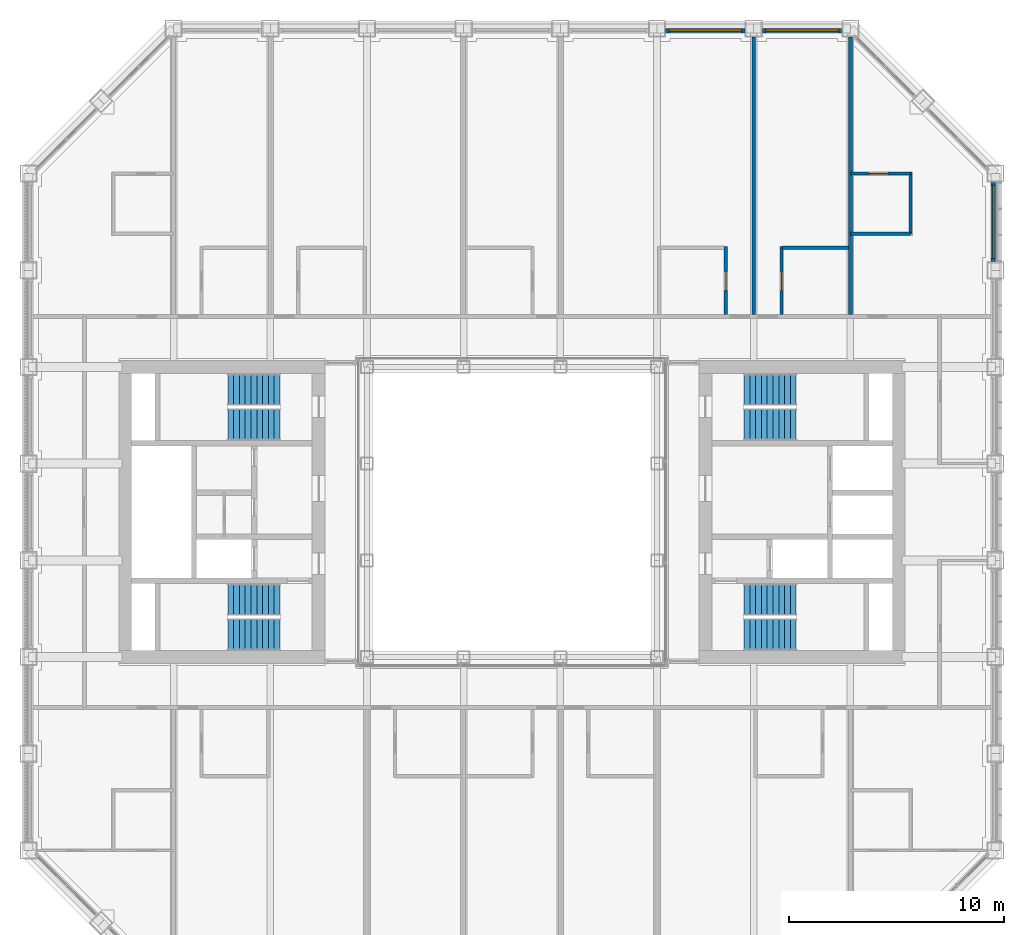
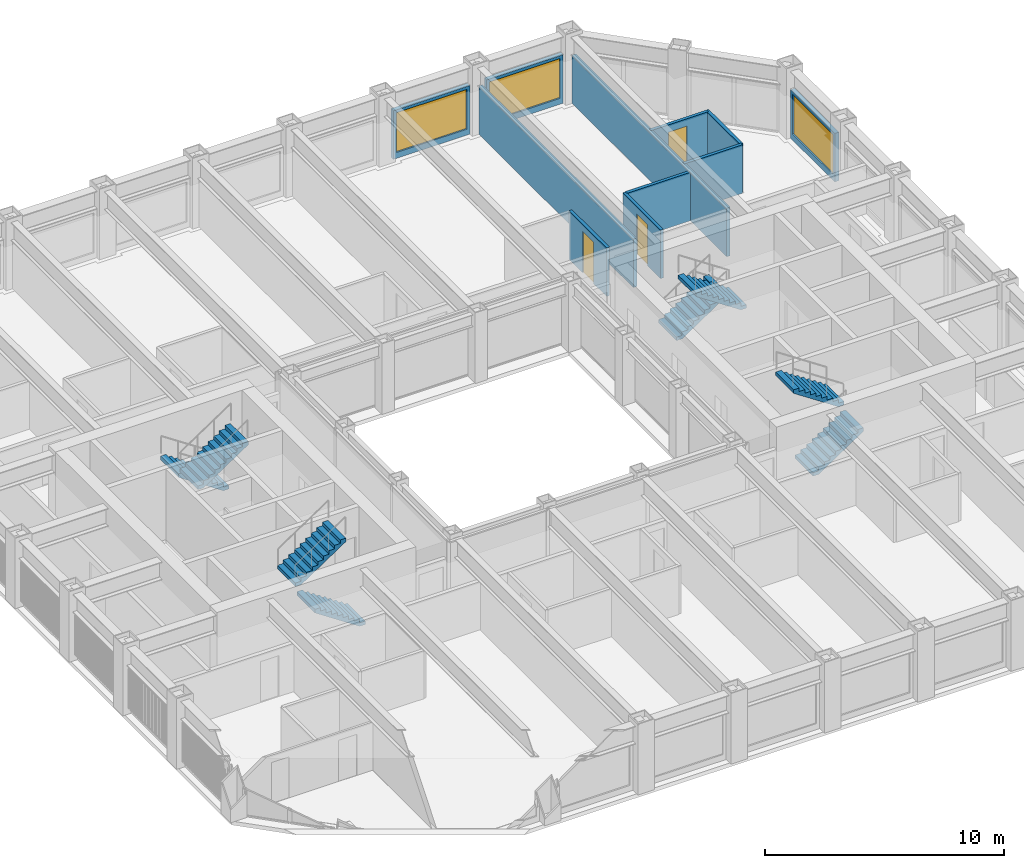
# One storey, part 14 of 17: 11 walls, 8 stair flights, 3 doors, 3 windows, 6 openings, 4 elements without a shape of their own.
"""IFC4 building model written with IfcOpenShell, lengths in metres."""

from ifc_helpers import new_model, si_unit, direction, frame, frame_2d, origin, place, context, subcontext, project, spatial, polyline, rectangle, outline, extrude, material, layer, layer_set, type_object, element, fill, aggregate, save


model = new_model("IFC4")

# Units and contexts
model_context = context("Model", 3, precision=1e-05, world=origin(), true_north=direction((0.0, 1.0)))
body_context = subcontext(model_context, "Body", "Model", "MODEL_VIEW")
ifc_project = project(units=[si_unit("LENGTHUNIT", "METRE"), si_unit("AREAUNIT", "SQUARE_METRE"), si_unit("VOLUMEUNIT", "CUBIC_METRE"), si_unit("PLANEANGLEUNIT", "RADIAN"), si_unit("MASSUNIT", "GRAM", prefix="KILO")], contexts=[model_context])

# Site, building, storey
site_placement = place(None, origin())
site = spatial("IfcSite", under=ifc_project, at=site_placement, CompositionType="ELEMENT")
building_placement = place(site_placement, origin())
building = spatial("IfcBuilding", under=site, at=building_placement, Name="Msasa Ring Tower", CompositionType="ELEMENT")
storey_placement = place(building_placement, frame((0.0, 0.0, 150.800048828125)))
storey = spatial("IfcBuildingStorey", under=building, at=storey_placement, Name="L39", CompositionType="ELEMENT", Elevation=150.800048828125)

# Wall, opening, window
ifc_material_1 = material(Name="Terracotta rainscreen on blockwork", Category="masonry")
ifc_layer_1 = layer(ifc_material_1, 0.199951171875)
ifc_layer_set_1 = layer_set([ifc_layer_1], Name="FW1 TERRACOTTA-LINED INFILL BAY WALL 200")
wall_type_1 = type_object("IfcWallType", Name="FW1 TERRACOTTA-LINED INFILL BAY WALL 200", PredefinedType="SOLIDWALL", material=ifc_layer_set_1)
wall_1_placement = place(storey_placement, frame((22.39990234375, 11.655029296875, 0.0), z_axis=(0.0, 0.0, 1.0), x_axis=(0.0, 1.0, 0.0)))
wall_1 = element("IfcWall", 1, at=wall_1_placement, inside=storey, type_object=wall_type_1, Name="Infill bay wall E L39 15", PredefinedType="SOLIDWALL", context=body_context, shape_type="SweptSolid", body=[
    extrude(rectangle(XDim=3.68994140625, YDim=0.199951171875, at=frame_2d((1.844970703125, 0.0))), origin(), (0.0, 0.0, 1.0), 2.47900390625),
])
opening_1_placement = place(wall_1_placement, frame((0.14501953125, 0.0, 0.300048828125)))
opening_1 = element("IfcOpeningElement", 2, at=opening_1_placement, cuts=wall_1, Name="Opening WN2", PredefinedType="OPENING", context=body_context, shape_type="SweptSolid", body=[
    extrude(rectangle(XDim=3.39990234375, YDim=2.029052734375, at=frame_2d((1.699951171875, 1.0146484375))), frame((0.0, 0.10986328125, 0.0), z_axis=(0.0, -1.0, 0.0), x_axis=(1.0, 0.0, 0.0)), (0.0, 0.0, 1.0), 0.219970703125),
])
ifc_material_2 = material(Name="Aluminium frame with clear glass", Category="aluminium")
window_type = type_object("IfcWindowType", Name="WN2 GUEST ROOM WINDOW 3400x2029", PartitioningType="SINGLE_PANEL", PredefinedType="WINDOW", material=ifc_material_2)
window_1_placement = place(opening_1_placement, origin())
window_1 = element("IfcWindow", 3, at=window_1_placement, inside=storey, type_object=window_type, Name="Window E L39 15", OverallHeight=2.029052734375, OverallWidth=3.39990234375, PartitioningType="SINGLE_PANEL", PredefinedType="WINDOW", context=body_context, shape_type="SweptSolid", body=[
    extrude(rectangle(XDim=3.39990234375, YDim=2.029052734375, at=frame_2d((1.699951171875, 1.0146484375))), frame((0.0, 0.030029296875, 0.0), z_axis=(0.0, -1.0, 0.0), x_axis=(1.0, 0.0, 0.0)), (0.0, 0.0, 1.0), 0.06005859375),
])
fill(opening_1, window_1)

wall_2_placement = place(storey_placement, frame((7.155029296875, 22.39990234375, 0.0), z_axis=(0.0, 0.0, 1.0), x_axis=(1.0, 0.0, 0.0)))
wall_2 = element("IfcWall", 4, at=wall_2_placement, inside=storey, type_object=wall_type_1, Name="Infill bay wall N L39 23", PredefinedType="SOLIDWALL", context=body_context, shape_type="SweptSolid", body=[
    extrude(rectangle(XDim=3.68994140625, YDim=0.199951171875, at=frame_2d((1.844970703125, 0.0))), origin(), (0.0, 0.0, 1.0), 2.47900390625),
])
opening_2_placement = place(wall_2_placement, frame((0.14501953125, 0.0, 0.300048828125)))
opening_2 = element("IfcOpeningElement", 5, at=opening_2_placement, cuts=wall_2, Name="Opening WN2", PredefinedType="OPENING", context=body_context, shape_type="SweptSolid", body=[
    extrude(rectangle(XDim=3.39990234375, YDim=2.029052734375, at=frame_2d((1.699951171875, 1.0146484375))), frame((0.0, 0.10986328125, 0.0), z_axis=(0.0, -1.0, 0.0), x_axis=(1.0, 0.0, 0.0)), (0.0, 0.0, 1.0), 0.219970703125),
])
window_2_placement = place(opening_2_placement, origin())
window_2 = element("IfcWindow", 6, at=window_2_placement, inside=storey, type_object=window_type, Name="Window N L39 23", OverallHeight=2.029052734375, OverallWidth=3.39990234375, PartitioningType="SINGLE_PANEL", PredefinedType="WINDOW", context=body_context, shape_type="SweptSolid", body=[
    extrude(rectangle(XDim=3.39990234375, YDim=2.029052734375, at=frame_2d((1.699951171875, 1.0146484375))), frame((0.0, 0.030029296875, 0.0), z_axis=(0.0, -1.0, 0.0), x_axis=(1.0, 0.0, 0.0)), (0.0, 0.0, 1.0), 0.06005859375),
])
fill(opening_2, window_2)

wall_3_placement = place(storey_placement, frame((11.655029296875, 22.39990234375, 0.0), z_axis=(0.0, 0.0, 1.0), x_axis=(1.0, 0.0, 0.0)))
wall_3 = element("IfcWall", 7, at=wall_3_placement, inside=storey, type_object=wall_type_1, Name="Infill bay wall N L39 24", PredefinedType="SOLIDWALL", context=body_context, shape_type="SweptSolid", body=[
    extrude(rectangle(XDim=3.68994140625, YDim=0.199951171875, at=frame_2d((1.844970703125, 0.0))), origin(), (0.0, 0.0, 1.0), 2.47900390625),
])
opening_3_placement = place(wall_3_placement, frame((0.14501953125, 0.0, 0.300048828125)))
opening_3 = element("IfcOpeningElement", 8, at=opening_3_placement, cuts=wall_3, Name="Opening WN2", PredefinedType="OPENING", context=body_context, shape_type="SweptSolid", body=[
    extrude(rectangle(XDim=3.39990234375, YDim=2.029052734375, at=frame_2d((1.699951171875, 1.0146484375))), frame((0.0, 0.10986328125, 0.0), z_axis=(0.0, -1.0, 0.0), x_axis=(1.0, 0.0, 0.0)), (0.0, 0.0, 1.0), 0.219970703125),
])
window_3_placement = place(opening_3_placement, origin())
window_3 = element("IfcWindow", 9, at=window_3_placement, inside=storey, type_object=window_type, Name="Window N L39 24", OverallHeight=2.029052734375, OverallWidth=3.39990234375, PartitioningType="SINGLE_PANEL", PredefinedType="WINDOW", context=body_context, shape_type="SweptSolid", body=[
    extrude(rectangle(XDim=3.39990234375, YDim=2.029052734375, at=frame_2d((1.699951171875, 1.0146484375))), frame((0.0, 0.030029296875, 0.0), z_axis=(0.0, -1.0, 0.0), x_axis=(1.0, 0.0, 0.0)), (0.0, 0.0, 1.0), 0.06005859375),
])
fill(opening_3, window_3)

# Wall, opening, door
ifc_material_3 = material(Name="Moisture-resistant board on steel studs with a concealed cistern and pipe void, tiled", Category="steel")
ifc_layer_2 = layer(ifc_material_3, 0.14990234375)
ifc_layer_set_2 = layer_set([ifc_layer_2], Name="PT4 BATHROOM WET WALL 150")
wall_type_2 = type_object("IfcWallType", Name="PT4 BATHROOM WET WALL 150", PredefinedType="PARTITIONING", material=ifc_layer_set_2)
wall_4_placement = place(storey_placement, frame((9.949951171875, 9.199951171875, 0.0), z_axis=(0.0, 0.0, 1.0), x_axis=(0.0, 1.0, 0.0)))
wall_4 = element("IfcWall", 10, at=wall_4_placement, inside=storey, type_object=wall_type_2, Name="Partition L39-GN03BX", PredefinedType="PARTITIONING", context=body_context, shape_type="SweptSolid", body=[
    extrude(rectangle(XDim=3.150146484375, YDim=0.14990234375, at=frame_2d((1.5751953125, 0.0))), origin(), (0.0, 0.0, 1.0), 2.473388671875),
])
opening_4_placement = place(wall_4_placement, frame((1.10009765625, 0.0, 0.0)))
opening_4 = element("IfcOpeningElement", 11, at=opening_4_placement, cuts=wall_4, Name="Opening HD-006", PredefinedType="OPENING", context=body_context, shape_type="SweptSolid", body=[
    extrude(rectangle(XDim=0.89990234375, YDim=2.10009765625, at=frame_2d((0.449951171875, 1.050048828125))), frame((0.0, 0.0849609375, 0.0), z_axis=(0.0, -1.0, 0.0), x_axis=(1.0, 0.0, 0.0)), (0.0, 0.0, 1.0), 0.169921875),
])
ifc_material_4 = material(Name="Timber door leaf in a steel frame", Category="steel")
door_type = type_object("IfcDoorType", Name="D3 BATHROOM DOOR 900x2100", OperationType="SINGLE_SWING_LEFT", PredefinedType="DOOR", material=ifc_material_4)
door_1_placement = place(opening_4_placement, origin())
door_1 = element("IfcDoor", 12, at=door_1_placement, inside=storey, type_object=door_type, Name="Door L39-GN03B", OperationType="SINGLE_SWING_LEFT", OverallHeight=2.10009765625, OverallWidth=0.89990234375, PredefinedType="DOOR", context=body_context, shape_type="SweptSolid", body=[
    extrude(rectangle(XDim=0.89990234375, YDim=2.10009765625, at=frame_2d((0.449951171875, 1.050048828125))), frame((0.0, 0.02490234375, 0.0), z_axis=(0.0, -1.0, 0.0), x_axis=(1.0, 0.0, 0.0)), (0.0, 0.0, 1.0), 0.050048828125),
])
fill(opening_4, door_1)

wall_5_placement = place(storey_placement, frame((12.550048828125, 9.199951171875, 0.0), z_axis=(0.0, 0.0, 1.0), x_axis=(0.0, 1.0, 0.0)))
wall_5 = element("IfcWall", 13, at=wall_5_placement, inside=storey, type_object=wall_type_2, Name="Partition L39-GN04BX", PredefinedType="PARTITIONING", context=body_context, shape_type="SweptSolid", body=[
    extrude(rectangle(XDim=3.150146484375, YDim=0.14990234375, at=frame_2d((1.5751953125, 0.0))), origin(), (0.0, 0.0, 1.0), 2.473388671875),
])
opening_5_placement = place(wall_5_placement, frame((1.10009765625, 0.0, 0.0)))
opening_5 = element("IfcOpeningElement", 14, at=opening_5_placement, cuts=wall_5, Name="Opening HD-007", PredefinedType="OPENING", context=body_context, shape_type="SweptSolid", body=[
    extrude(rectangle(XDim=0.89990234375, YDim=2.10009765625, at=frame_2d((0.449951171875, 1.050048828125))), frame((0.0, 0.0849609375, 0.0), z_axis=(0.0, -1.0, 0.0), x_axis=(1.0, 0.0, 0.0)), (0.0, 0.0, 1.0), 0.169921875),
])
door_2_placement = place(opening_5_placement, origin())
door_2 = element("IfcDoor", 15, at=door_2_placement, inside=storey, type_object=door_type, Name="Door L39-GN04B", OperationType="SINGLE_SWING_LEFT", OverallHeight=2.10009765625, OverallWidth=0.89990234375, PredefinedType="DOOR", context=body_context, shape_type="SweptSolid", body=[
    extrude(rectangle(XDim=0.89990234375, YDim=2.10009765625, at=frame_2d((0.449951171875, 1.050048828125))), frame((0.0, 0.02490234375, 0.0), z_axis=(0.0, -1.0, 0.0), x_axis=(1.0, 0.0, 0.0)), (0.0, 0.0, 1.0), 0.050048828125),
])
fill(opening_5, door_2)

# Walls
wall_6_placement = place(storey_placement, frame((12.60009765625, 12.300048828125, 0.0), z_axis=(0.0, 0.0, 1.0), x_axis=(1.0, 0.0, 0.0)))
element("IfcWall", 16, at=wall_6_placement, inside=storey, type_object=wall_type_2, Name="Partition L39-GN04BY", PredefinedType="PARTITIONING", context=body_context, shape_type="SweptSolid", body=[
    extrude(rectangle(XDim=3.0625, YDim=0.14990234375, at=frame_2d((1.53125, 0.0))), origin(), (0.0, 0.0, 1.0), 2.473388671875),
])
wall_7_placement = place(storey_placement, frame((18.550048828125, 12.949951171875, 0.0), z_axis=(0.0, 0.0, 1.0), x_axis=(0.0, 1.0, 0.0)))
element("IfcWall", 17, at=wall_7_placement, inside=storey, type_object=wall_type_2, Name="Partition L39-CSNEBX", PredefinedType="PARTITIONING", context=body_context, shape_type="SweptSolid", body=[
    extrude(rectangle(XDim=2.875, YDim=0.14990234375, at=frame_2d((1.4375, 0.0))), origin(), (0.0, 0.0, 1.0), 2.473388671875),
])
wall_8_placement = place(storey_placement, frame((15.75, 12.949951171875, 0.0), z_axis=(0.0, 0.0, 1.0), x_axis=(1.0, 0.0, 0.0)))
element("IfcWall", 18, at=wall_8_placement, inside=storey, type_object=wall_type_2, Name="Partition L39-CSNEBY", PredefinedType="PARTITIONING", context=body_context, shape_type="SweptSolid", body=[
    extrude(rectangle(XDim=2.800048828125, YDim=0.14990234375, at=frame_2d((1.39990234375, 0.0))), origin(), (0.0, 0.0, 1.0), 2.473388671875),
])

# Wall, opening, door
wall_9_placement = place(storey_placement, frame((15.75, 15.75, 0.0), z_axis=(0.0, 0.0, 1.0), x_axis=(1.0, 0.0, 0.0)))
wall_9 = element("IfcWall", 19, at=wall_9_placement, inside=storey, type_object=wall_type_2, Name="Partition L39-CSNEBZ", PredefinedType="PARTITIONING", context=body_context, shape_type="SweptSolid", body=[
    extrude(rectangle(XDim=2.800048828125, YDim=0.14990234375, at=frame_2d((1.39990234375, 0.0))), origin(), (0.0, 0.0, 1.0), 2.473388671875),
])
opening_6_placement = place(wall_9_placement, frame((0.85009765625, 0.0, 0.0)))
opening_6 = element("IfcOpeningElement", 20, at=opening_6_placement, cuts=wall_9, Name="Opening HD-002", PredefinedType="OPENING", context=body_context, shape_type="SweptSolid", body=[
    extrude(rectangle(XDim=0.89990234375, YDim=2.10009765625, at=frame_2d((0.449951171875, 1.050048828125))), frame((0.0, 0.0849609375, 0.0), z_axis=(0.0, -1.0, 0.0), x_axis=(1.0, 0.0, 0.0)), (0.0, 0.0, 1.0), 0.169921875),
])
door_3_placement = place(opening_6_placement, origin())
door_3 = element("IfcDoor", 21, at=door_3_placement, inside=storey, type_object=door_type, Name="Door L39-CSNEB1", OperationType="SINGLE_SWING_LEFT", OverallHeight=2.10009765625, OverallWidth=0.89990234375, PredefinedType="DOOR", context=body_context, shape_type="SweptSolid", body=[
    extrude(rectangle(XDim=0.89990234375, YDim=2.10009765625, at=frame_2d((0.449951171875, 1.050048828125))), frame((0.0, 0.02490234375, 0.0), z_axis=(0.0, -1.0, 0.0), x_axis=(1.0, 0.0, 0.0)), (0.0, 0.0, 1.0), 0.050048828125),
])
fill(opening_6, door_3)

# Walls
ifc_material_5 = material(Name="Twin steel studs, two layers of acoustic board each face, mineral wool", Category="steel")
ifc_layer_3 = layer(ifc_material_5, 0.175048828125)
ifc_layer_set_3 = layer_set([ifc_layer_3], Name="PT5 GUEST ROOM SEPARATING WALL 175")
wall_type_3 = type_object("IfcWallType", Name="PT5 GUEST ROOM SEPARATING WALL 175", PredefinedType="PARTITIONING", material=ifc_layer_set_3)
for number, where, z_axis, x_axis, name in (
    (22, (11.25, 9.199951171875, 0.0), (0.0, 0.0, 1.0), (0.0, 1.0, 0.0), "Partition L39-PWN+11.25"),
    (23, (15.75, 9.199951171875, 0.0), (0.0, 0.0, 1.0), (0.0, 1.0, 0.0), "Partition L39-PWN+15.75"),
):
    element("IfcWall", number, at=place(storey_placement, frame(where, z_axis=z_axis, x_axis=x_axis)), inside=storey, type_object=wall_type_3, Name=name, PredefinedType="PARTITIONING", context=body_context, shape_type="SweptSolid", body=[
        extrude(rectangle(XDim=12.900146484375, YDim=0.175048828125, at=frame_2d((6.4501953125, 0.0))), origin(), (0.0, 0.0, 1.0), 2.473388671875),
    ])

# Stair, stair flights
ifc_material_6 = material(Name="Concrete C40/50", Category="concrete")
stair_type = type_object("IfcStairType", Name="STC CORE STAIR 20 RISERS 180", PredefinedType="HALF_TURN_STAIR", material=ifc_material_6)
stair_1_placement = place(storey_placement, origin())
stair_1 = element("IfcStair", 24, at=stair_1_placement, inside=storey, type_object=stair_type, Name="Core stair SEA L39", PredefinedType="HALF_TURN_STAIR")
ifc_material_7 = material(Name="Concrete C40/50", Category="concrete")
stair_flight_type = type_object("IfcStairFlightType", Name="ST14 CORE STAIR FLIGHT 1500 10 RISERS 180", PredefinedType="STRAIGHT", material=ifc_material_7)
stair_flight_1_placement = place(storey_placement, frame((10.800048828125, -5.699951171875, 0.0), z_axis=(0.0, 0.0, 1.0), x_axis=(1.0, 0.0, 0.0)))
stair_flight_1 = element("IfcStairFlight", 25, at=stair_flight_1_placement, type_object=stair_flight_type, Name="SEA flight 1", NumberOfRisers=10, NumberOfTreads=9, PredefinedType="STRAIGHT", RiserHeight=0.18, TreadLength=0.27, context=body_context, shape_type="SweptSolid", body=[
    extrude(outline(polyline([(0.0, 0.0), (0.0, 0.179931640625), (0.27001953125, 0.179931640625), (0.27001953125, 0.360107421875), (0.5400390625, 0.360107421875), (0.5400390625, 0.5400390625), (0.81005859375, 0.5400390625), (0.81005859375, 0.719970703125), (1.080078125, 0.719970703125), (1.080078125, 0.89990234375), (1.35009765625, 0.89990234375), (1.35009765625, 1.080078125), (1.6201171875, 1.080078125), (1.6201171875, 1.260009765625), (1.889892578125, 1.260009765625), (1.889892578125, 1.43994140625), (2.159912109375, 1.43994140625), (2.159912109375, 1.6201171875), (2.429931640625, 1.6201171875), (2.429931640625, 1.800048828125), (2.429931640625, 1.43994140625), (0.270263671875, 0.0), (0.0, 0.0)])), frame((0.0, 0.75, 0.0), z_axis=(0.0, -1.0, 0.0), x_axis=(1.0, 0.0, 0.0)), (0.0, 0.0, 1.0), 1.5),
])
stair_flight_2_placement = place(storey_placement, frame((13.22998046875, -4.074951171875, 1.800048828125), z_axis=(0.0, 0.0, 1.0), x_axis=(-1.0, 0.0, 0.0)))
stair_flight_2 = element("IfcStairFlight", 26, at=stair_flight_2_placement, type_object=stair_flight_type, Name="SEA flight 2", NumberOfRisers=10, NumberOfTreads=9, PredefinedType="STRAIGHT", RiserHeight=0.18, TreadLength=0.27, context=body_context, shape_type="SweptSolid", body=[
    extrude(outline(polyline([(0.0, 0.0), (0.0, 0.179931640625), (0.27001953125, 0.179931640625), (0.27001953125, 0.360107421875), (0.5400390625, 0.360107421875), (0.5400390625, 0.5400390625), (0.81005859375, 0.5400390625), (0.81005859375, 0.719970703125), (1.080078125, 0.719970703125), (1.080078125, 0.89990234375), (1.35009765625, 0.89990234375), (1.35009765625, 1.080078125), (1.6201171875, 1.080078125), (1.6201171875, 1.260009765625), (1.889892578125, 1.260009765625), (1.889892578125, 1.43994140625), (2.159912109375, 1.43994140625), (2.159912109375, 1.6201171875), (2.429931640625, 1.6201171875), (2.429931640625, 1.800048828125), (2.429931640625, 1.43994140625), (0.270263671875, 0.0), (0.0, 0.0)])), frame((0.0, 0.75, 0.0), z_axis=(0.0, -1.0, 0.0), x_axis=(1.0, 0.0, 0.0)), (0.0, 0.0, 1.0), 1.5),
])
aggregate(stair_1, [stair_flight_1, stair_flight_2])

stair_2_placement = place(storey_placement, origin())
stair_2 = element("IfcStair", 27, at=stair_2_placement, inside=storey, type_object=stair_type, Name="Core stair SEB L39", PredefinedType="HALF_TURN_STAIR")
stair_flight_3_placement = place(storey_placement, frame((10.800048828125, 5.699951171875, 0.0), z_axis=(0.0, 0.0, 1.0), x_axis=(1.0, 0.0, 0.0)))
stair_flight_3 = element("IfcStairFlight", 28, at=stair_flight_3_placement, type_object=stair_flight_type, Name="SEB flight 1", NumberOfRisers=10, NumberOfTreads=9, PredefinedType="STRAIGHT", RiserHeight=0.18, TreadLength=0.27, context=body_context, shape_type="SweptSolid", body=[
    extrude(outline(polyline([(0.0, 0.0), (0.0, 0.179931640625), (0.27001953125, 0.179931640625), (0.27001953125, 0.360107421875), (0.5400390625, 0.360107421875), (0.5400390625, 0.5400390625), (0.81005859375, 0.5400390625), (0.81005859375, 0.719970703125), (1.080078125, 0.719970703125), (1.080078125, 0.89990234375), (1.35009765625, 0.89990234375), (1.35009765625, 1.080078125), (1.6201171875, 1.080078125), (1.6201171875, 1.260009765625), (1.889892578125, 1.260009765625), (1.889892578125, 1.43994140625), (2.159912109375, 1.43994140625), (2.159912109375, 1.6201171875), (2.429931640625, 1.6201171875), (2.429931640625, 1.800048828125), (2.429931640625, 1.43994140625), (0.270263671875, 0.0), (0.0, 0.0)])), frame((0.0, 0.75, 0.0), z_axis=(0.0, -1.0, 0.0), x_axis=(1.0, 0.0, 0.0)), (0.0, 0.0, 1.0), 1.5),
])
stair_flight_4_placement = place(storey_placement, frame((13.22998046875, 4.074951171875, 1.800048828125), z_axis=(0.0, 0.0, 1.0), x_axis=(-1.0, 0.0, 0.0)))
stair_flight_4 = element("IfcStairFlight", 29, at=stair_flight_4_placement, type_object=stair_flight_type, Name="SEB flight 2", NumberOfRisers=10, NumberOfTreads=9, PredefinedType="STRAIGHT", RiserHeight=0.18, TreadLength=0.27, context=body_context, shape_type="SweptSolid", body=[
    extrude(outline(polyline([(0.0, 0.0), (0.0, 0.179931640625), (0.27001953125, 0.179931640625), (0.27001953125, 0.360107421875), (0.5400390625, 0.360107421875), (0.5400390625, 0.5400390625), (0.81005859375, 0.5400390625), (0.81005859375, 0.719970703125), (1.080078125, 0.719970703125), (1.080078125, 0.89990234375), (1.35009765625, 0.89990234375), (1.35009765625, 1.080078125), (1.6201171875, 1.080078125), (1.6201171875, 1.260009765625), (1.889892578125, 1.260009765625), (1.889892578125, 1.43994140625), (2.159912109375, 1.43994140625), (2.159912109375, 1.6201171875), (2.429931640625, 1.6201171875), (2.429931640625, 1.800048828125), (2.429931640625, 1.43994140625), (0.270263671875, 0.0), (0.0, 0.0)])), frame((0.0, 0.75, 0.0), z_axis=(0.0, -1.0, 0.0), x_axis=(1.0, 0.0, 0.0)), (0.0, 0.0, 1.0), 1.5),
])
aggregate(stair_2, [stair_flight_3, stair_flight_4])

stair_3_placement = place(storey_placement, origin())
stair_3 = element("IfcStair", 30, at=stair_3_placement, inside=storey, type_object=stair_type, Name="Core stair SWA L39", PredefinedType="HALF_TURN_STAIR")
stair_flight_5_placement = place(storey_placement, frame((-10.800048828125, -5.699951171875, 0.0), z_axis=(0.0, 0.0, 1.0), x_axis=(-1.0, 0.0, 0.0)))
stair_flight_5 = element("IfcStairFlight", 31, at=stair_flight_5_placement, type_object=stair_flight_type, Name="SWA flight 1", NumberOfRisers=10, NumberOfTreads=9, PredefinedType="STRAIGHT", RiserHeight=0.18, TreadLength=0.27, context=body_context, shape_type="SweptSolid", body=[
    extrude(outline(polyline([(0.0, 0.0), (0.0, 0.179931640625), (0.27001953125, 0.179931640625), (0.27001953125, 0.360107421875), (0.5400390625, 0.360107421875), (0.5400390625, 0.5400390625), (0.81005859375, 0.5400390625), (0.81005859375, 0.719970703125), (1.080078125, 0.719970703125), (1.080078125, 0.89990234375), (1.35009765625, 0.89990234375), (1.35009765625, 1.080078125), (1.6201171875, 1.080078125), (1.6201171875, 1.260009765625), (1.889892578125, 1.260009765625), (1.889892578125, 1.43994140625), (2.159912109375, 1.43994140625), (2.159912109375, 1.6201171875), (2.429931640625, 1.6201171875), (2.429931640625, 1.800048828125), (2.429931640625, 1.43994140625), (0.270263671875, 0.0), (0.0, 0.0)])), frame((0.0, 0.75, 0.0), z_axis=(0.0, -1.0, 0.0), x_axis=(1.0, 0.0, 0.0)), (0.0, 0.0, 1.0), 1.5),
])
stair_flight_6_placement = place(storey_placement, frame((-13.22998046875, -4.074951171875, 1.800048828125), z_axis=(0.0, 0.0, 1.0), x_axis=(1.0, 0.0, 0.0)))
stair_flight_6 = element("IfcStairFlight", 32, at=stair_flight_6_placement, type_object=stair_flight_type, Name="SWA flight 2", NumberOfRisers=10, NumberOfTreads=9, PredefinedType="STRAIGHT", RiserHeight=0.18, TreadLength=0.27, context=body_context, shape_type="SweptSolid", body=[
    extrude(outline(polyline([(0.0, 0.0), (0.0, 0.179931640625), (0.27001953125, 0.179931640625), (0.27001953125, 0.360107421875), (0.5400390625, 0.360107421875), (0.5400390625, 0.5400390625), (0.81005859375, 0.5400390625), (0.81005859375, 0.719970703125), (1.080078125, 0.719970703125), (1.080078125, 0.89990234375), (1.35009765625, 0.89990234375), (1.35009765625, 1.080078125), (1.6201171875, 1.080078125), (1.6201171875, 1.260009765625), (1.889892578125, 1.260009765625), (1.889892578125, 1.43994140625), (2.159912109375, 1.43994140625), (2.159912109375, 1.6201171875), (2.429931640625, 1.6201171875), (2.429931640625, 1.800048828125), (2.429931640625, 1.43994140625), (0.270263671875, 0.0), (0.0, 0.0)])), frame((0.0, 0.75, 0.0), z_axis=(0.0, -1.0, 0.0), x_axis=(1.0, 0.0, 0.0)), (0.0, 0.0, 1.0), 1.5),
])
aggregate(stair_3, [stair_flight_5, stair_flight_6])

stair_4_placement = place(storey_placement, origin())
stair_4 = element("IfcStair", 33, at=stair_4_placement, inside=storey, type_object=stair_type, Name="Core stair SWB L39", PredefinedType="HALF_TURN_STAIR")
stair_flight_7_placement = place(storey_placement, frame((-10.800048828125, 5.699951171875, 0.0), z_axis=(0.0, 0.0, 1.0), x_axis=(-1.0, 0.0, 0.0)))
stair_flight_7 = element("IfcStairFlight", 34, at=stair_flight_7_placement, type_object=stair_flight_type, Name="SWB flight 1", NumberOfRisers=10, NumberOfTreads=9, PredefinedType="STRAIGHT", RiserHeight=0.18, TreadLength=0.27, context=body_context, shape_type="SweptSolid", body=[
    extrude(outline(polyline([(0.0, 0.0), (0.0, 0.179931640625), (0.27001953125, 0.179931640625), (0.27001953125, 0.360107421875), (0.5400390625, 0.360107421875), (0.5400390625, 0.5400390625), (0.81005859375, 0.5400390625), (0.81005859375, 0.719970703125), (1.080078125, 0.719970703125), (1.080078125, 0.89990234375), (1.35009765625, 0.89990234375), (1.35009765625, 1.080078125), (1.6201171875, 1.080078125), (1.6201171875, 1.260009765625), (1.889892578125, 1.260009765625), (1.889892578125, 1.43994140625), (2.159912109375, 1.43994140625), (2.159912109375, 1.6201171875), (2.429931640625, 1.6201171875), (2.429931640625, 1.800048828125), (2.429931640625, 1.43994140625), (0.270263671875, 0.0), (0.0, 0.0)])), frame((0.0, 0.75, 0.0), z_axis=(0.0, -1.0, 0.0), x_axis=(1.0, 0.0, 0.0)), (0.0, 0.0, 1.0), 1.5),
])
stair_flight_8_placement = place(storey_placement, frame((-13.22998046875, 4.074951171875, 1.800048828125), z_axis=(0.0, 0.0, 1.0), x_axis=(1.0, 0.0, 0.0)))
stair_flight_8 = element("IfcStairFlight", 35, at=stair_flight_8_placement, type_object=stair_flight_type, Name="SWB flight 2", NumberOfRisers=10, NumberOfTreads=9, PredefinedType="STRAIGHT", RiserHeight=0.18, TreadLength=0.27, context=body_context, shape_type="SweptSolid", body=[
    extrude(outline(polyline([(0.0, 0.0), (0.0, 0.179931640625), (0.27001953125, 0.179931640625), (0.27001953125, 0.360107421875), (0.5400390625, 0.360107421875), (0.5400390625, 0.5400390625), (0.81005859375, 0.5400390625), (0.81005859375, 0.719970703125), (1.080078125, 0.719970703125), (1.080078125, 0.89990234375), (1.35009765625, 0.89990234375), (1.35009765625, 1.080078125), (1.6201171875, 1.080078125), (1.6201171875, 1.260009765625), (1.889892578125, 1.260009765625), (1.889892578125, 1.43994140625), (2.159912109375, 1.43994140625), (2.159912109375, 1.6201171875), (2.429931640625, 1.6201171875), (2.429931640625, 1.800048828125), (2.429931640625, 1.43994140625), (0.270263671875, 0.0), (0.0, 0.0)])), frame((0.0, 0.75, 0.0), z_axis=(0.0, -1.0, 0.0), x_axis=(1.0, 0.0, 0.0)), (0.0, 0.0, 1.0), 1.5),
])
aggregate(stair_4, [stair_flight_7, stair_flight_8])

save(model, "model.ifc")
